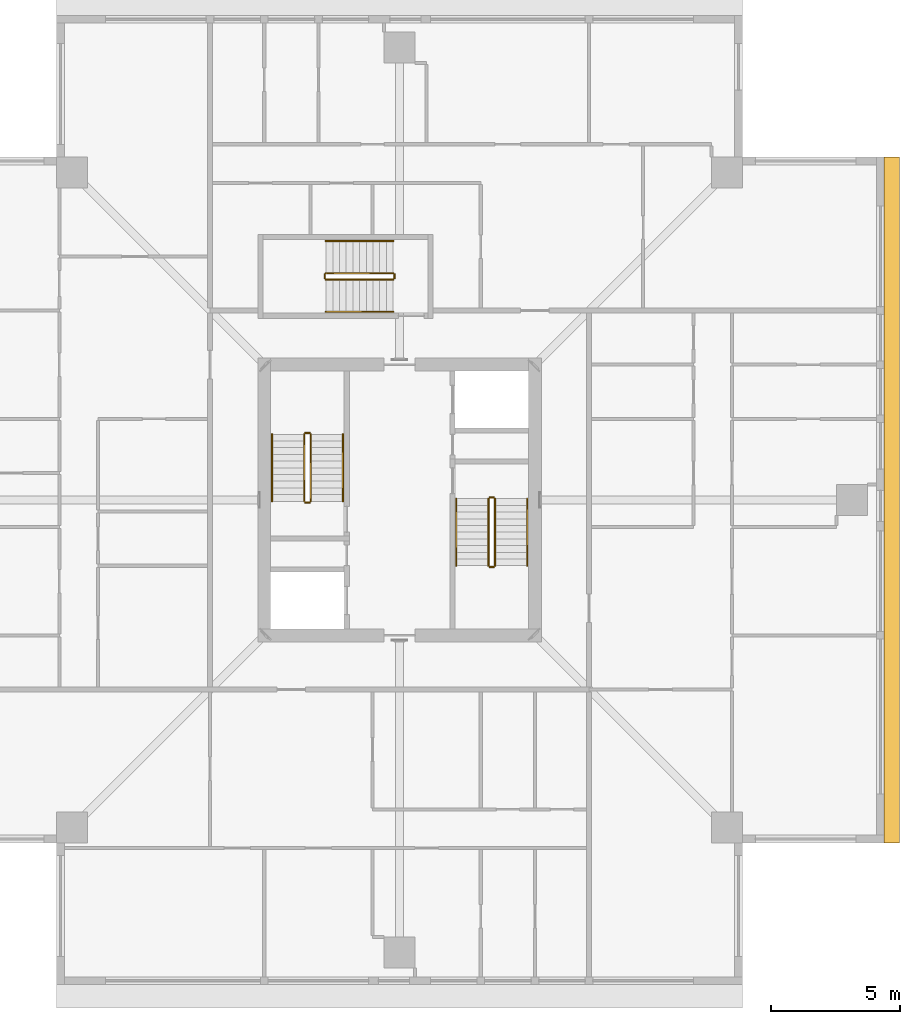
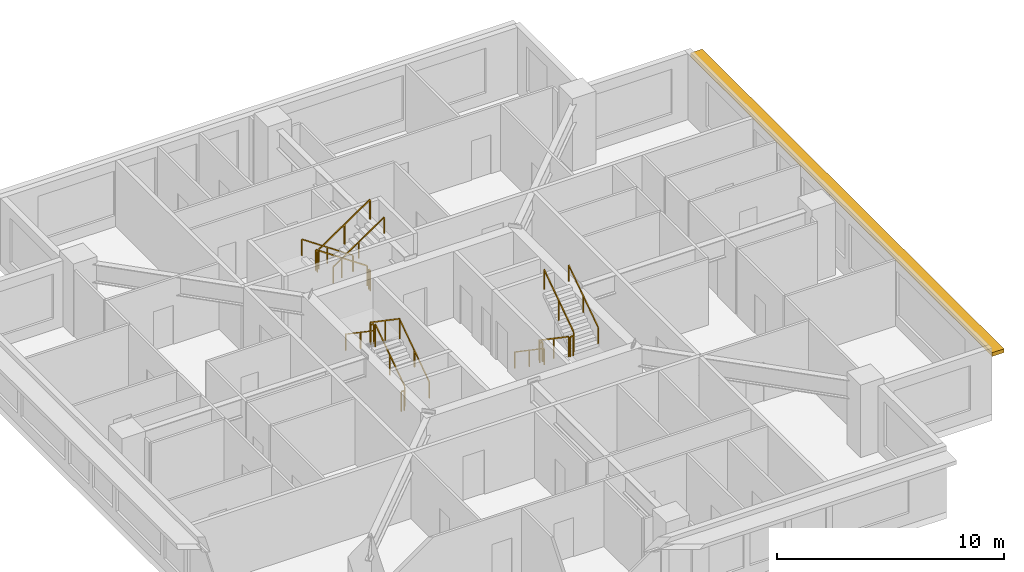
# One storey, part 10 of 11: 18 railings, 1 shading device.
"""IFC4 building model written with IfcOpenShell, lengths in metres."""

import ifcopenshell
import ifcopenshell.guid

model = None  # the IFC model being written
_history = None  # IfcOwnerHistory: only IFC2X3 demands one
_inside = {}  # id of a spatial element -> (the spatial element, [elements in it])
_under = {}  # id of a project, library or spatial element -> (it, [spatial elements below it])
_declared = {}  # id of a project -> (the project, [libraries it declares])
_typed = {}  # id of a type object -> (the type object, [elements of that type])
_made_of = {}  # id of a material, layer set ... -> (it, [elements and type objects made of it])


def new_model(schema):
    """Start an empty IFC model of exactly this schema.

    Asked for "IFC4X3", IfcOpenShell would pick the latest addendum, in which some entities
    have other attributes; the version numbers below select the first issue.
    IFC2X3 requires an IfcOwnerHistory on every rooted entity: one is made here for all.
    """
    global model, _history
    if schema == "IFC4X3":
        model = ifcopenshell.file(schema_version=(4, 3, 0, 0))
    else:
        model = ifcopenshell.file(schema=schema)
    _inside.clear()
    _under.clear()
    _declared.clear()
    _typed.clear()
    _made_of.clear()
    _history = None
    if model.schema == "IFC2X3":
        org = make("IfcOrganization", Name="unknown")
        user = make(
            "IfcPersonAndOrganization",
            ThePerson=make("IfcPerson", FamilyName="unknown"),
            TheOrganization=org,
        )
        app = make(
            "IfcApplication",
            ApplicationDeveloper=org,
            Version="unknown",
            ApplicationFullName="unknown",
            ApplicationIdentifier="unknown",
        )
        _history = make(
            "IfcOwnerHistory",
            OwningUser=user,
            OwningApplication=app,
            ChangeAction="ADDED",
            CreationDate=0,
        )
    return model


def make(cls, **values):
    """One entity of the class cls with the attributes given. An attribute that is None is left unset."""
    return model.create_entity(
        cls, **{name: value for name, value in values.items() if value is not None}
    )


def rooted(cls, **values):
    """An entity with a GlobalId (a new one), such as an element, a storey or a relation."""
    return make(cls, GlobalId=ifcopenshell.guid.new(), OwnerHistory=_history, **values)


def si_unit(unit_type, name, prefix=None):
    """IfcSIUnit, for example si_unit("LENGTHUNIT", "METRE", prefix="MILLI")."""
    return make("IfcSIUnit", UnitType=unit_type, Prefix=prefix, Name=name)


def assignment(units):
    """IfcUnitAssignment: the units of a project."""
    return None if units is None else make("IfcUnitAssignment", Units=units)


def point(xyz):
    """IfcCartesianPoint."""
    return None if xyz is None else make("IfcCartesianPoint", Coordinates=xyz)


def direction(xyz):
    """IfcDirection."""
    return None if xyz is None else make("IfcDirection", DirectionRatios=xyz)


def frame(location, z_axis=None, x_axis=None):
    """IfcAxis2Placement3D, a coordinate frame: its origin and axes. An axis left out is left unset."""
    return make(
        "IfcAxis2Placement3D",
        Location=point(location),
        Axis=direction(z_axis),
        RefDirection=direction(x_axis),
    )


def frame_2d(location, x_axis=None):
    """IfcAxis2Placement2D, a coordinate frame in the plane: its origin and x axis."""
    return make(
        "IfcAxis2Placement2D", Location=point(location), RefDirection=direction(x_axis)
    )


def origin():
    """The frame at (0, 0, 0) with its axes left unset."""
    return frame((0.0, 0.0, 0.0))


def origin_2d():
    """The frame at (0, 0) in the plane with its x axis left unset."""
    return frame_2d((0.0, 0.0))


def place(relative_to, where):
    """IfcLocalPlacement: puts the frame where relative to a parent placement (None: the world)."""
    return make(
        "IfcLocalPlacement", PlacementRelTo=relative_to, RelativePlacement=where
    )


def context(
    kind, dimensions, precision=None, world=None, true_north=None, identifier=None
):
    """IfcGeometricRepresentationContext, for example the 3D "Model" context."""
    return make(
        "IfcGeometricRepresentationContext",
        ContextIdentifier=identifier,
        ContextType=kind,
        CoordinateSpaceDimension=dimensions,
        Precision=precision,
        WorldCoordinateSystem=world,
        TrueNorth=true_north,
    )


def subcontext(parent, identifier, kind, view, scale=None):
    """IfcGeometricRepresentationSubContext, for example "Body" below "Model"."""
    return make(
        "IfcGeometricRepresentationSubContext",
        ContextIdentifier=identifier,
        ContextType=kind,
        ParentContext=parent,
        TargetScale=scale,
        TargetView=view,
    )


def project(units=None, contexts=None):
    """IfcProject with its units and contexts."""
    return rooted(
        "IfcProject",
        Name="project",
        RepresentationContexts=contexts,
        UnitsInContext=assignment(units),
    )


def spatial(cls, under=None, at=None, **own):
    """A site, building, storey or space (cls), placed at a placement, below another one or the project."""
    s = rooted(cls, ObjectPlacement=at, **own)
    if under is not None:
        _under.setdefault(under.id(), (under, []))[1].append(s)
    return s


def polyline(points):
    """IfcPolyline through the points."""
    return make("IfcPolyline", Points=[point(p) for p in points])


def profile(cls, at=None, kind="AREA", **sizes):
    """A parametric profile (cls). Its sizes go by their IFC names, for example OverallWidth=200.0."""
    return make(cls, ProfileType=kind, Position=at, **sizes)


def rectangle(**sizes):
    """IfcRectangleProfileDef."""
    return profile("IfcRectangleProfileDef", **sizes)


def outline(outer, holes=None, kind="AREA"):
    """IfcArbitraryClosedProfileDef: a profile drawn as a closed curve; with holes, ...WithVoids."""
    if holes is None:
        return make("IfcArbitraryClosedProfileDef", ProfileType=kind, OuterCurve=outer)
    return make(
        "IfcArbitraryProfileDefWithVoids",
        ProfileType=kind,
        OuterCurve=outer,
        InnerCurves=holes,
    )


def extrude(swept, where, along, depth):
    """IfcExtrudedAreaSolid: the profile swept, set in the frame where, extruded along a direction by depth."""
    return make(
        "IfcExtrudedAreaSolid",
        SweptArea=swept,
        Position=where,
        ExtrudedDirection=direction(along),
        Depth=depth,
    )


def shape(context_of_items, identifier, shape_type, items):
    """IfcShapeRepresentation: the items that make up one representation, for example the "Body"."""
    return make(
        "IfcShapeRepresentation",
        ContextOfItems=context_of_items,
        RepresentationIdentifier=identifier,
        RepresentationType=shape_type,
        Items=items,
    )


def material(Name=None, Category=None):
    """IfcMaterial."""
    return make("IfcMaterial", Name=Name, Category=Category)


def layer(
    of_material, thickness, ventilated=None, Name=None, Category=None, Priority=None
):
    """IfcMaterialLayer: one layer of a wall or slab, of a material (None: an air gap)."""
    return make(
        "IfcMaterialLayer",
        Material=of_material,
        LayerThickness=thickness,
        IsVentilated=ventilated,
        Name=Name,
        Category=Category,
        Priority=Priority,
    )


def layer_set(layers, Name=None):
    """IfcMaterialLayerSet."""
    return make("IfcMaterialLayerSet", MaterialLayers=layers, LayerSetName=Name)


def made_of(thing, what):
    """Note that an element or type object is made of a material, layer set ...; save() writes the relation."""
    if what is not None:
        _made_of.setdefault(what.id(), (what, []))[1].append(thing)
    return thing


def type_object(cls, material=None, **own):
    """A type object (cls), such as IfcWallType, which elements share."""
    return made_of(rooted(cls, **own), material)


def element(
    cls,
    number,
    at=None,
    inside=None,
    cuts=None,
    type_object=None,
    material=None,
    context=None,
    identifier="Body",
    shape_type=None,
    held_by="IfcProductDefinitionShape",
    body=None,
    shapes=None,
    **own,
):
    """One element of the class cls, such as IfcWall. Its Tag is "e" and its number.

    at: its placement. inside: the storey or other place that contains it. cuts: it is an
    opening in that element (IfcRelVoidsElement). A single representation is given by context,
    identifier, shape_type and body (its items); several are given by shapes. held_by: the class
    of the entity that holds the representations. save() writes the other relations.
    """
    e = rooted(cls, Tag="e%d" % number, ObjectPlacement=at, **own)
    if body is not None:
        shapes = [shape(context, identifier, shape_type, body)]
    if shapes is not None:
        e.Representation = make(held_by, Representations=shapes)
    if inside is not None:
        _inside.setdefault(inside.id(), (inside, []))[1].append(e)
    if cuts is not None:
        rooted(
            "IfcRelVoidsElement", RelatingBuildingElement=cuts, RelatedOpeningElement=e
        )
    if type_object is not None:
        _typed.setdefault(type_object.id(), (type_object, []))[1].append(e)
    return made_of(e, material)


def aggregate(whole, parts):
    """IfcRelAggregates: a whole, such as a stair, and the parts it consists of."""
    return rooted("IfcRelAggregates", RelatingObject=whole, RelatedObjects=parts)


def save(model, path):
    """Write the relations noted so far, then the file.

    IfcRelAggregates (storeys below a building ...), IfcRelContainedInSpatialStructure (elements
    in a storey), IfcRelDefinesByType, IfcRelAssociatesMaterial and IfcRelDeclares: one each for
    every whole, place, type object, material and project.
    """
    for whole, parts in _under.values():
        aggregate(whole, parts)
    for where, things in _inside.values():
        rooted(
            "IfcRelContainedInSpatialStructure",
            RelatedElements=things,
            RelatingStructure=where,
        )
    for kind, things in _typed.values():
        rooted("IfcRelDefinesByType", RelatedObjects=things, RelatingType=kind)
    for what, things in _made_of.values():
        rooted("IfcRelAssociatesMaterial", RelatedObjects=things, RelatingMaterial=what)
    for by, libraries in _declared.values():
        rooted("IfcRelDeclares", RelatingContext=by, RelatedDefinitions=libraries)
    model.write(path)


model = new_model("IFC4")

# Units and contexts
model_context = context("Model", 3, precision=1e-05, world=origin(), true_north=direction((0.0, 1.0)))
body_context = subcontext(model_context, "Body", "Model", "MODEL_VIEW")
ifc_project = project(units=[si_unit("LENGTHUNIT", "METRE"), si_unit("AREAUNIT", "SQUARE_METRE"), si_unit("VOLUMEUNIT", "CUBIC_METRE"), si_unit("PLANEANGLEUNIT", "RADIAN"), si_unit("MASSUNIT", "GRAM", prefix="KILO")], contexts=[model_context])

# Site, building, storey
site_placement = place(None, origin())
site = spatial("IfcSite", under=ifc_project, at=site_placement, CompositionType="ELEMENT")
building_placement = place(site_placement, origin())
building = spatial("IfcBuilding", under=site, at=building_placement, Name="Khepri Terraces", CompositionType="ELEMENT")
storey_placement = place(building_placement, frame((0.0, 0.0, 308.39990234375)))
storey = spatial("IfcBuildingStorey", under=building, at=storey_placement, Name="L74", CompositionType="ELEMENT", Elevation=308.39990234375)

# Railings
ifc_material_1 = material(Name="Stainless steel 316", Category="steel")
railing_type_1 = type_object("IfcRailingType", Name="RL-CORE-GUARD", PredefinedType="GUARDRAIL", material=ifc_material_1)
railing_1_placement = place(storey_placement, frame((-3.449951171875, -0.050048828125, 0.177490234375)))
element("IfcRailing", 1, at=railing_1_placement, inside=storey, type_object=railing_type_1, Name="L74 ST-1 stair guard 1", PredefinedType="GUARDRAIL", context=body_context, shape_type="SweptSolid", body=[
    extrude(rectangle(XDim=0.050048828125, YDim=0.06005859375, at=origin_2d()), frame((0.0, 0.0, 1.070068359375), z_axis=(0.0, 0.826240473404, 0.563317565952), x_axis=(-1.0, 0.0, 0.0)), (0.0, 0.0, 1.0), 3.14697265625),
    extrude(rectangle(XDim=0.050048828125, YDim=0.050048828125, at=origin_2d()), origin(), (0.0, 0.0, 1.0), 1.0400390625),
    extrude(rectangle(XDim=0.050048828125, YDim=0.050048828125, at=origin_2d()), frame((0.0, 1.300048828125, 0.88623046875)), (0.0, 0.0, 1.0), 1.0400390625),
    extrude(rectangle(XDim=0.050048828125, YDim=0.050048828125, at=origin_2d()), frame((0.0, 2.60009765625, 1.772705078125)), (0.0, 0.0, 1.0), 1.0400390625),
])
railing_2_placement = place(storey_placement, frame((-3.5, 2.60009765625, 1.9501953125)))
element("IfcRailing", 2, at=railing_2_placement, inside=storey, type_object=railing_type_1, Name="L74 ST-1 stair guard 2", PredefinedType="GUARDRAIL", context=body_context, shape_type="SweptSolid", body=[
    extrude(rectangle(XDim=0.050048828125, YDim=0.06005859375, at=origin_2d()), frame((0.0, 0.0, 1.070068359375), z_axis=(-1.0, 0.0, 0.0), x_axis=(0.0, -1.0, 0.0)), (0.0, 0.0, 1.0), 0.14990234375),
    extrude(rectangle(XDim=0.050048828125, YDim=0.050048828125, at=origin_2d()), origin(), (0.0, 0.0, 1.0), 1.0400390625),
    extrude(rectangle(XDim=0.050048828125, YDim=0.050048828125, at=origin_2d()), frame((-0.14990234375, 0.0, 0.0)), (0.0, 0.0, 1.0), 1.0400390625),
])
railing_3_placement = place(storey_placement, frame((-3.699951171875, 2.550048828125, 2.12744140625)))
element("IfcRailing", 3, at=railing_3_placement, inside=storey, type_object=railing_type_1, Name="L74 ST-1 stair guard 3", PredefinedType="GUARDRAIL", context=body_context, shape_type="SweptSolid", body=[
    extrude(rectangle(XDim=0.050048828125, YDim=0.06005859375, at=origin_2d()), frame((0.0, 0.0, 1.070068359375), z_axis=(0.0, -0.826240473404, 0.563317565952), x_axis=(1.0, 0.0, 0.0)), (0.0, 0.0, 1.0), 3.14697265625),
    extrude(rectangle(XDim=0.050048828125, YDim=0.050048828125, at=origin_2d()), origin(), (0.0, 0.0, 1.0), 1.0400390625),
    extrude(rectangle(XDim=0.050048828125, YDim=0.050048828125, at=origin_2d()), frame((0.0, -1.300048828125, 0.88623046875)), (0.0, 0.0, 1.0), 1.0400390625),
    extrude(rectangle(XDim=0.050048828125, YDim=0.050048828125, at=origin_2d()), frame((0.0, -2.60009765625, 1.772705078125)), (0.0, 0.0, 1.0), 1.0400390625),
])
railing_4_placement = place(storey_placement, frame((-3.5, -0.10009765625, 0.0)))
element("IfcRailing", 4, at=railing_4_placement, inside=storey, type_object=railing_type_1, Name="L74 ST-1 stair guard 4", PredefinedType="GUARDRAIL", context=body_context, shape_type="SweptSolid", body=[
    extrude(rectangle(XDim=0.050048828125, YDim=0.06005859375, at=origin_2d()), frame((0.0, 0.0, 1.070068359375), z_axis=(-1.0, 0.0, 0.0), x_axis=(0.0, -1.0, 0.0)), (0.0, 0.0, 1.0), 0.14990234375),
    extrude(rectangle(XDim=0.050048828125, YDim=0.050048828125, at=origin_2d()), origin(), (0.0, 0.0, 1.0), 1.0400390625),
    extrude(rectangle(XDim=0.050048828125, YDim=0.050048828125, at=origin_2d()), frame((-0.14990234375, 0.0, 0.0)), (0.0, 0.0, 1.0), 1.0400390625),
])
railing_5_placement = place(storey_placement, frame((3.449951171875, 0.050048828125, 0.177490234375)))
element("IfcRailing", 5, at=railing_5_placement, inside=storey, type_object=railing_type_1, Name="L74 ST-2 stair guard 1", PredefinedType="GUARDRAIL", context=body_context, shape_type="SweptSolid", body=[
    extrude(rectangle(XDim=0.050048828125, YDim=0.06005859375, at=origin_2d()), frame((0.0, 0.0, 1.070068359375), z_axis=(0.0, -0.826240473404, 0.563317565952), x_axis=(1.0, 0.0, 0.0)), (0.0, 0.0, 1.0), 3.14697265625),
    extrude(rectangle(XDim=0.050048828125, YDim=0.050048828125, at=origin_2d()), origin(), (0.0, 0.0, 1.0), 1.0400390625),
    extrude(rectangle(XDim=0.050048828125, YDim=0.050048828125, at=origin_2d()), frame((0.0, -1.300048828125, 0.88623046875)), (0.0, 0.0, 1.0), 1.0400390625),
    extrude(rectangle(XDim=0.050048828125, YDim=0.050048828125, at=origin_2d()), frame((0.0, -2.60009765625, 1.772705078125)), (0.0, 0.0, 1.0), 1.0400390625),
])
railing_6_placement = place(storey_placement, frame((3.5, -2.60009765625, 1.9501953125)))
element("IfcRailing", 6, at=railing_6_placement, inside=storey, type_object=railing_type_1, Name="L74 ST-2 stair guard 2", PredefinedType="GUARDRAIL", context=body_context, shape_type="SweptSolid", body=[
    extrude(rectangle(XDim=0.050048828125, YDim=0.06005859375, at=origin_2d()), frame((0.0, 0.0, 1.070068359375), z_axis=(1.0, 0.0, 0.0), x_axis=(0.0, 1.0, 0.0)), (0.0, 0.0, 1.0), 0.14990234375),
    extrude(rectangle(XDim=0.050048828125, YDim=0.050048828125, at=origin_2d()), origin(), (0.0, 0.0, 1.0), 1.0400390625),
    extrude(rectangle(XDim=0.050048828125, YDim=0.050048828125, at=origin_2d()), frame((0.14990234375, 0.0, 0.0)), (0.0, 0.0, 1.0), 1.0400390625),
])
railing_7_placement = place(storey_placement, frame((3.699951171875, -2.550048828125, 2.12744140625)))
element("IfcRailing", 7, at=railing_7_placement, inside=storey, type_object=railing_type_1, Name="L74 ST-2 stair guard 3", PredefinedType="GUARDRAIL", context=body_context, shape_type="SweptSolid", body=[
    extrude(rectangle(XDim=0.050048828125, YDim=0.06005859375, at=origin_2d()), frame((0.0, 0.0, 1.070068359375), z_axis=(0.0, 0.826240473404, 0.563317565952), x_axis=(-1.0, 0.0, 0.0)), (0.0, 0.0, 1.0), 3.14697265625),
    extrude(rectangle(XDim=0.050048828125, YDim=0.050048828125, at=origin_2d()), origin(), (0.0, 0.0, 1.0), 1.0400390625),
    extrude(rectangle(XDim=0.050048828125, YDim=0.050048828125, at=origin_2d()), frame((0.0, 1.300048828125, 0.88623046875)), (0.0, 0.0, 1.0), 1.0400390625),
    extrude(rectangle(XDim=0.050048828125, YDim=0.050048828125, at=origin_2d()), frame((0.0, 2.60009765625, 1.772705078125)), (0.0, 0.0, 1.0), 1.0400390625),
])
railing_8_placement = place(storey_placement, frame((3.5, 0.10009765625, 0.0)))
element("IfcRailing", 8, at=railing_8_placement, inside=storey, type_object=railing_type_1, Name="L74 ST-2 stair guard 4", PredefinedType="GUARDRAIL", context=body_context, shape_type="SweptSolid", body=[
    extrude(rectangle(XDim=0.050048828125, YDim=0.06005859375, at=origin_2d()), frame((0.0, 0.0, 1.070068359375), z_axis=(1.0, 0.0, 0.0), x_axis=(0.0, 1.0, 0.0)), (0.0, 0.0, 1.0), 0.14990234375),
    extrude(rectangle(XDim=0.050048828125, YDim=0.050048828125, at=origin_2d()), origin(), (0.0, 0.0, 1.0), 1.0400390625),
    extrude(rectangle(XDim=0.050048828125, YDim=0.050048828125, at=origin_2d()), frame((0.14990234375, 0.0, 0.0)), (0.0, 0.0, 1.0), 1.0400390625),
])
railing_9_placement = place(storey_placement, frame((-0.25, 8.800048828125, 0.177490234375)))
element("IfcRailing", 9, at=railing_9_placement, inside=storey, type_object=railing_type_1, Name="L74 ST-3 stair guard 1", PredefinedType="GUARDRAIL", context=body_context, shape_type="SweptSolid", body=[
    extrude(rectangle(XDim=0.050048828125, YDim=0.06005859375, at=origin_2d()), frame((0.0, 0.0, 1.070068359375), z_axis=(-0.826240473404, 0.0, 0.563317565952), x_axis=(0.0, -1.0, 0.0)), (0.0, 0.0, 1.0), 3.14697265625),
    extrude(rectangle(XDim=0.050048828125, YDim=0.050048828125, at=origin_2d()), origin(), (0.0, 0.0, 1.0), 1.0400390625),
    extrude(rectangle(XDim=0.050048828125, YDim=0.050048828125, at=origin_2d()), frame((-1.300048828125, 0.0, 0.88623046875)), (0.0, 0.0, 1.0), 1.0400390625),
    extrude(rectangle(XDim=0.050048828125, YDim=0.050048828125, at=origin_2d()), frame((-2.60009765625, 0.0, 1.772705078125)), (0.0, 0.0, 1.0), 1.0400390625),
])
railing_10_placement = place(storey_placement, frame((-2.89990234375, 8.75, 1.9501953125)))
element("IfcRailing", 10, at=railing_10_placement, inside=storey, type_object=railing_type_1, Name="L74 ST-3 stair guard 2", PredefinedType="GUARDRAIL", context=body_context, shape_type="SweptSolid", body=[
    extrude(rectangle(XDim=0.050048828125, YDim=0.06005859375, at=origin_2d()), frame((0.0, 0.0, 1.070068359375), z_axis=(0.0, -1.0, 0.0), x_axis=(1.0, 0.0, 0.0)), (0.0, 0.0, 1.0), 0.14990234375),
    extrude(rectangle(XDim=0.050048828125, YDim=0.050048828125, at=origin_2d()), origin(), (0.0, 0.0, 1.0), 1.0400390625),
    extrude(rectangle(XDim=0.050048828125, YDim=0.050048828125, at=origin_2d()), frame((0.0, -0.14990234375, 0.0)), (0.0, 0.0, 1.0), 1.0400390625),
])
railing_11_placement = place(storey_placement, frame((-2.85009765625, 8.550048828125, 2.12744140625)))
element("IfcRailing", 11, at=railing_11_placement, inside=storey, type_object=railing_type_1, Name="L74 ST-3 stair guard 3", PredefinedType="GUARDRAIL", context=body_context, shape_type="SweptSolid", body=[
    extrude(rectangle(XDim=0.050048828125, YDim=0.06005859375, at=origin_2d()), frame((0.0, 0.0, 1.070068359375), z_axis=(0.826240473404, 0.0, 0.563317565952), x_axis=(0.0, 1.0, 0.0)), (0.0, 0.0, 1.0), 3.14697265625),
    extrude(rectangle(XDim=0.050048828125, YDim=0.050048828125, at=origin_2d()), origin(), (0.0, 0.0, 1.0), 1.0400390625),
    extrude(rectangle(XDim=0.050048828125, YDim=0.050048828125, at=origin_2d()), frame((1.300048828125, 0.0, 0.88623046875)), (0.0, 0.0, 1.0), 1.0400390625),
    extrude(rectangle(XDim=0.050048828125, YDim=0.050048828125, at=origin_2d()), frame((2.60009765625, 0.0, 1.772705078125)), (0.0, 0.0, 1.0), 1.0400390625),
])
railing_12_placement = place(storey_placement, frame((-0.199951171875, 8.75, 0.0)))
element("IfcRailing", 12, at=railing_12_placement, inside=storey, type_object=railing_type_1, Name="L74 ST-3 stair guard 4", PredefinedType="GUARDRAIL", context=body_context, shape_type="SweptSolid", body=[
    extrude(rectangle(XDim=0.050048828125, YDim=0.06005859375, at=origin_2d()), frame((0.0, 0.0, 1.070068359375), z_axis=(0.0, -1.0, 0.0), x_axis=(1.0, 0.0, 0.0)), (0.0, 0.0, 1.0), 0.14990234375),
    extrude(rectangle(XDim=0.050048828125, YDim=0.050048828125, at=origin_2d()), origin(), (0.0, 0.0, 1.0), 1.0400390625),
    extrude(rectangle(XDim=0.050048828125, YDim=0.050048828125, at=origin_2d()), frame((0.0, -0.14990234375, 0.0)), (0.0, 0.0, 1.0), 1.0400390625),
])
railing_type_2 = type_object("IfcRailingType", Name="RL-CORE-HANDRAIL", PredefinedType="HANDRAIL", material=ifc_material_1)
railing_13_placement = place(storey_placement, frame((-2.199951171875, -0.050048828125, 0.177490234375)))
element("IfcRailing", 13, at=railing_13_placement, inside=storey, type_object=railing_type_2, Name="L74 ST-1 stair handrail 1", PredefinedType="HANDRAIL", context=body_context, shape_type="SweptSolid", body=[
    extrude(rectangle(XDim=0.050048828125, YDim=0.050048828125, at=origin_2d()), frame((0.0, 0.0, 0.875), z_axis=(0.0, 0.826240473404, 0.563317565952), x_axis=(-1.0, 0.0, 0.0)), (0.0, 0.0, 1.0), 3.14697265625),
    extrude(rectangle(XDim=0.050048828125, YDim=0.050048828125, at=origin_2d()), origin(), (0.0, 0.0, 1.0), 0.849853515625),
    extrude(rectangle(XDim=0.050048828125, YDim=0.050048828125, at=origin_2d()), frame((0.0, 1.300048828125, 0.88623046875)), (0.0, 0.0, 1.0), 0.849853515625),
    extrude(rectangle(XDim=0.050048828125, YDim=0.050048828125, at=origin_2d()), frame((0.0, 2.60009765625, 1.772705078125)), (0.0, 0.0, 1.0), 0.849853515625),
])
for number, where, name in (
    (14, (-4.949951171875, 2.550048828125, 2.12744140625), "L74 ST-1 stair handrail 2"),
    (15, (2.199951171875, 0.050048828125, 0.177490234375), "L74 ST-2 stair handrail 1"),
):
    element("IfcRailing", number, at=place(storey_placement, frame(where)), inside=storey, type_object=railing_type_2, Name=name, PredefinedType="HANDRAIL", context=body_context, shape_type="SweptSolid", body=[
        extrude(rectangle(XDim=0.050048828125, YDim=0.050048828125, at=origin_2d()), frame((0.0, 0.0, 0.875), z_axis=(0.0, -0.826240473404, 0.563317565952), x_axis=(1.0, 0.0, 0.0)), (0.0, 0.0, 1.0), 3.14697265625),
        extrude(rectangle(XDim=0.050048828125, YDim=0.050048828125, at=origin_2d()), origin(), (0.0, 0.0, 1.0), 0.849853515625),
        extrude(rectangle(XDim=0.050048828125, YDim=0.050048828125, at=origin_2d()), frame((0.0, -1.300048828125, 0.88623046875)), (0.0, 0.0, 1.0), 0.849853515625),
        extrude(rectangle(XDim=0.050048828125, YDim=0.050048828125, at=origin_2d()), frame((0.0, -2.60009765625, 1.772705078125)), (0.0, 0.0, 1.0), 0.849853515625),
    ])
railing_14_placement = place(storey_placement, frame((4.949951171875, -2.550048828125, 2.12744140625)))
element("IfcRailing", 16, at=railing_14_placement, inside=storey, type_object=railing_type_2, Name="L74 ST-2 stair handrail 2", PredefinedType="HANDRAIL", context=body_context, shape_type="SweptSolid", body=[
    extrude(rectangle(XDim=0.050048828125, YDim=0.050048828125, at=origin_2d()), frame((0.0, 0.0, 0.875), z_axis=(0.0, 0.826240473404, 0.563317565952), x_axis=(-1.0, 0.0, 0.0)), (0.0, 0.0, 1.0), 3.14697265625),
    extrude(rectangle(XDim=0.050048828125, YDim=0.050048828125, at=origin_2d()), origin(), (0.0, 0.0, 1.0), 0.849853515625),
    extrude(rectangle(XDim=0.050048828125, YDim=0.050048828125, at=origin_2d()), frame((0.0, 1.300048828125, 0.88623046875)), (0.0, 0.0, 1.0), 0.849853515625),
    extrude(rectangle(XDim=0.050048828125, YDim=0.050048828125, at=origin_2d()), frame((0.0, 2.60009765625, 1.772705078125)), (0.0, 0.0, 1.0), 0.849853515625),
])
railing_15_placement = place(storey_placement, frame((-0.25, 10.050048828125, 0.177490234375)))
element("IfcRailing", 17, at=railing_15_placement, inside=storey, type_object=railing_type_2, Name="L74 ST-3 stair handrail 1", PredefinedType="HANDRAIL", context=body_context, shape_type="SweptSolid", body=[
    extrude(rectangle(XDim=0.050048828125, YDim=0.050048828125, at=origin_2d()), frame((0.0, 0.0, 0.875), z_axis=(-0.826240473404, 0.0, 0.563317565952), x_axis=(0.0, -1.0, 0.0)), (0.0, 0.0, 1.0), 3.14697265625),
    extrude(rectangle(XDim=0.050048828125, YDim=0.050048828125, at=origin_2d()), origin(), (0.0, 0.0, 1.0), 0.849853515625),
    extrude(rectangle(XDim=0.050048828125, YDim=0.050048828125, at=origin_2d()), frame((-1.300048828125, 0.0, 0.88623046875)), (0.0, 0.0, 1.0), 0.849853515625),
    extrude(rectangle(XDim=0.050048828125, YDim=0.050048828125, at=origin_2d()), frame((-2.60009765625, 0.0, 1.772705078125)), (0.0, 0.0, 1.0), 0.849853515625),
])
railing_16_placement = place(storey_placement, frame((-2.85009765625, 7.300048828125, 2.12744140625)))
element("IfcRailing", 18, at=railing_16_placement, inside=storey, type_object=railing_type_2, Name="L74 ST-3 stair handrail 2", PredefinedType="HANDRAIL", context=body_context, shape_type="SweptSolid", body=[
    extrude(rectangle(XDim=0.050048828125, YDim=0.050048828125, at=origin_2d()), frame((0.0, 0.0, 0.875), z_axis=(0.826240473404, 0.0, 0.563317565952), x_axis=(0.0, 1.0, 0.0)), (0.0, 0.0, 1.0), 3.14697265625),
    extrude(rectangle(XDim=0.050048828125, YDim=0.050048828125, at=origin_2d()), origin(), (0.0, 0.0, 1.0), 0.849853515625),
    extrude(rectangle(XDim=0.050048828125, YDim=0.050048828125, at=origin_2d()), frame((1.300048828125, 0.0, 0.88623046875)), (0.0, 0.0, 1.0), 0.849853515625),
    extrude(rectangle(XDim=0.050048828125, YDim=0.050048828125, at=origin_2d()), frame((2.60009765625, 0.0, 1.772705078125)), (0.0, 0.0, 1.0), 0.849853515625),
])

# Shading device
ifc_material_2 = material(Name="Precast concrete C50/60 warm stone", Category="masonry")
ifc_layer = layer(ifc_material_2, 0.199951171875, Name="Precast concrete C50/60 warm stone", Category="masonry")
ifc_layer_set = layer_set([ifc_layer], Name="Precast concrete C50/60 warm stone")
shading_device_type = type_object("IfcShadingDeviceType", Name="SSH-BAND-STONE-200-N", PredefinedType="USERDEFINED", material=ifc_layer_set)
shading_device_placement = place(storey_placement, frame((0.0, 0.0, 3.10009765625)))
element("IfcShadingDevice", 19, at=shading_device_placement, inside=storey, type_object=shading_device_type, Name="Sunshade band L74 E", ObjectType="SUNSHADE", PredefinedType="USERDEFINED", context=body_context, shape_type="SweptSolid", body=[
    extrude(outline(polyline([(18.800048828125, 13.300048828125), (18.800048828125, -13.300048828125), (19.39990234375, -13.300048828125), (19.39990234375, 13.300048828125), (18.800048828125, 13.300048828125)])), origin(), (0.0, 0.0, 1.0), 0.199951171875),
])

save(model, "model.ifc")
